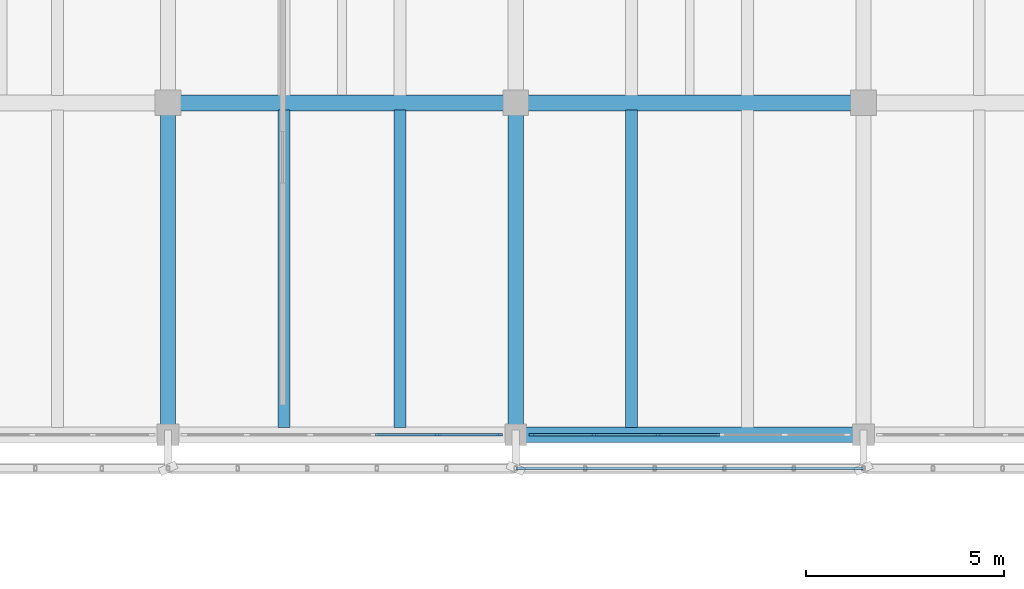
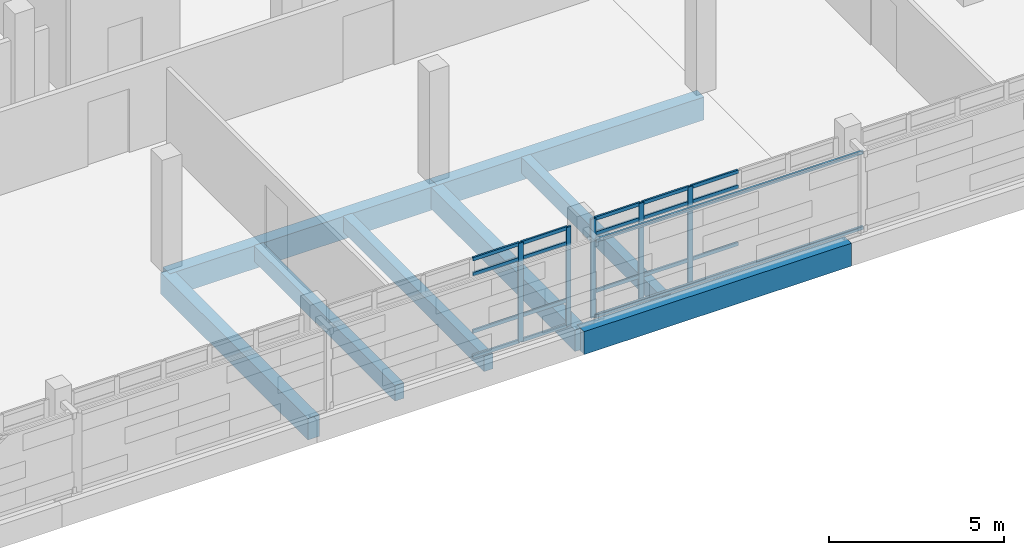
# One storey, part 52 of 117: 27 members, 8 beams, 2 elements without a shape of their own.
"""IFC4 building model written with IfcOpenShell, lengths in metres."""

from ifc_helpers import new_model, si_unit, direction, frame, origin, origin_2d, place, context, subcontext, project, spatial, rectangle, hollow_rectangle, extrude, material, material_profile, profile_set, type_object, element, aggregate, save


model = new_model("IFC4")

# Units and contexts
model_context = context("Model", 3, precision=1e-05, world=origin(), true_north=direction((0.0, 1.0)))
body_context = subcontext(model_context, "Body", "Model", "MODEL_VIEW")
ifc_project = project(units=[si_unit("LENGTHUNIT", "METRE"), si_unit("AREAUNIT", "SQUARE_METRE"), si_unit("VOLUMEUNIT", "CUBIC_METRE"), si_unit("PLANEANGLEUNIT", "RADIAN"), si_unit("MASSUNIT", "GRAM", prefix="KILO")], contexts=[model_context])

# Site, building, storey
site_placement = place(None, origin())
site = spatial("IfcSite", under=ifc_project, at=site_placement, CompositionType="ELEMENT")
building_placement = place(site_placement, origin())
building = spatial("IfcBuilding", under=site, at=building_placement, Name="Cinderway Yard Community Centre", CompositionType="ELEMENT")
storey_placement = place(building_placement, frame((0.0, 0.0, 9.0)))
storey = spatial("IfcBuildingStorey", under=building, at=storey_placement, Name="L02", CompositionType="ELEMENT", Elevation=9.0)

# Curtain wall, members
ifc_material_1 = material(Name="Aluminium 6063-T6", Category="aluminium")
curtain_wall_type = type_object("IfcCurtainWallType", Name="ENV-CW-TYPE-30", PredefinedType="USERDEFINED", material=ifc_material_1)
curtain_wall_1_placement = place(storey_placement, origin())
curtain_wall_1 = element("IfcCurtainWall", 1, at=curtain_wall_1_placement, inside=storey, type_object=curtain_wall_type, Name="V4 Courtyard Curtain Wall ENV-CW-L02-ST-0149", ObjectType="GLAZED CURTAIN WALL", PredefinedType="USERDEFINED")
ifc_material_profile_1 = material_profile(ifc_material_1, rectangle(XDim=0.06005859375, YDim=0.159912109375, at=origin_2d()), Name="Aluminium 6063-T6")
ifc_profile_set_1 = profile_set([ifc_material_profile_1], Name="Aluminium 6063-T6")
member_type_1 = type_object("IfcMemberType", Name="ENV-CW-MULL-150", PredefinedType="MULLION", material=ifc_profile_set_1)
member_1_placement = place(storey_placement, frame((82.011962890625, 90.0, 0.0), z_axis=(0.0, 0.0, 1.0), x_axis=(0.0, 1.0, 0.0)))
member_1 = element("IfcMember", 2, at=member_1_placement, type_object=member_type_1, Name="CW-30 mullion 5", PredefinedType="MULLION", context=body_context, shape_type="SweptSolid", body=[
    extrude(rectangle(XDim=0.06005859375, YDim=0.159912109375, at=origin_2d()), origin(), (0.0, 0.0, 1.0), 3.449951171875),
])
member_2_placement = place(storey_placement, frame((83.590087890625, 90.0, 0.0), z_axis=(0.0, 0.0, 1.0), x_axis=(0.0, 1.0, 0.0)))
member_2 = element("IfcMember", 3, at=member_2_placement, type_object=member_type_1, Name="CW-30 mullion 6", PredefinedType="MULLION", context=body_context, shape_type="SweptSolid", body=[
    extrude(rectangle(XDim=0.06005859375, YDim=0.159912109375, at=origin_2d()), origin(), (0.0, 0.0, 1.0), 3.449951171875),
])

curtain_wall_2_placement = place(storey_placement, origin())
curtain_wall_2 = element("IfcCurtainWall", 4, at=curtain_wall_2_placement, inside=storey, type_object=curtain_wall_type, Name="V4 Courtyard Curtain Wall ENV-CW-L02-ST-0150", ObjectType="GLAZED CURTAIN WALL", PredefinedType="USERDEFINED")
member_3_placement = place(storey_placement, frame((84.409912109375, 90.0, 0.0), z_axis=(0.0, 0.0, 1.0), x_axis=(0.0, 1.0, 0.0)))
member_3 = element("IfcMember", 5, at=member_3_placement, type_object=member_type_1, Name="CW-30 mullion 1", PredefinedType="MULLION", context=body_context, shape_type="SweptSolid", body=[
    extrude(rectangle(XDim=0.06005859375, YDim=0.159912109375, at=origin_2d()), origin(), (0.0, 0.0, 1.0), 3.449951171875),
])
member_4_placement = place(storey_placement, frame((85.988037109375, 90.0, 0.0), z_axis=(0.0, 0.0, 1.0), x_axis=(0.0, 1.0, 0.0)))
member_4 = element("IfcMember", 6, at=member_4_placement, type_object=member_type_1, Name="CW-30 mullion 2", PredefinedType="MULLION", context=body_context, shape_type="SweptSolid", body=[
    extrude(rectangle(XDim=0.06005859375, YDim=0.159912109375, at=origin_2d()), origin(), (0.0, 0.0, 1.0), 3.449951171875),
])
member_5_placement = place(storey_placement, frame((87.595947265625, 90.0, 0.0), z_axis=(0.0, 0.0, 1.0), x_axis=(0.0, 1.0, 0.0)))
member_5 = element("IfcMember", 7, at=member_5_placement, type_object=member_type_1, Name="CW-30 mullion 3", PredefinedType="MULLION", context=body_context, shape_type="SweptSolid", body=[
    extrude(rectangle(XDim=0.06005859375, YDim=0.159912109375, at=origin_2d()), origin(), (0.0, 0.0, 1.0), 3.449951171875),
])

# Member
ifc_material_profile_2 = material_profile(ifc_material_1, rectangle(XDim=0.06005859375, YDim=0.1201171875, at=origin_2d()), Name="Aluminium 6063-T6")
ifc_profile_set_2 = profile_set([ifc_material_profile_2], Name="Aluminium 6063-T6")
member_type_2 = type_object("IfcMemberType", Name="ENV-CW-TRAN-110", PredefinedType="USERDEFINED", material=ifc_profile_set_2)
member_6_placement = place(storey_placement, frame((80.43408203125, 90.0, 0.030029296875), z_axis=(1.0, 0.0, 0.0), x_axis=(0.0, 1.0, 0.0)))
member_6 = element("IfcMember", 8, at=member_6_placement, type_object=member_type_2, Name="CW-30 transom 4.1", ObjectType="TRANSOM", PredefinedType="USERDEFINED", context=body_context, shape_type="SweptSolid", body=[
    extrude(rectangle(XDim=0.06005859375, YDim=0.1201171875, at=origin_2d()), origin(), (0.0, 0.0, 1.0), 1.5478515625),
])

member_7_placement = place(storey_placement, frame((80.43408203125, 90.0, 0.89990234375), z_axis=(1.0, 0.0, 0.0), x_axis=(0.0, 1.0, 0.0)))
member_7 = element("IfcMember", 9, at=member_7_placement, type_object=member_type_2, Name="CW-30 transom 4.2", ObjectType="TRANSOM", PredefinedType="USERDEFINED", context=body_context, shape_type="SweptSolid", body=[
    extrude(rectangle(XDim=0.06005859375, YDim=0.1201171875, at=origin_2d()), origin(), (0.0, 0.0, 1.0), 1.5478515625),
])

member_8_placement = place(storey_placement, frame((80.43408203125, 90.0, 2.89990234375), z_axis=(1.0, 0.0, 0.0), x_axis=(0.0, 1.0, 0.0)))
member_8 = element("IfcMember", 10, at=member_8_placement, type_object=member_type_2, Name="CW-30 transom 4.3", ObjectType="TRANSOM", PredefinedType="USERDEFINED", context=body_context, shape_type="SweptSolid", body=[
    extrude(rectangle(XDim=0.06005859375, YDim=0.1201171875, at=origin_2d()), origin(), (0.0, 0.0, 1.0), 1.5478515625),
])

member_9_placement = place(storey_placement, frame((80.43408203125, 90.0, 3.419921875), z_axis=(1.0, 0.0, 0.0), x_axis=(0.0, 1.0, 0.0)))
member_9 = element("IfcMember", 11, at=member_9_placement, type_object=member_type_2, Name="CW-30 transom 4.4", ObjectType="TRANSOM", PredefinedType="USERDEFINED", context=body_context, shape_type="SweptSolid", body=[
    extrude(rectangle(XDim=0.06005859375, YDim=0.1201171875, at=origin_2d()), origin(), (0.0, 0.0, 1.0), 1.5478515625),
])

member_10_placement = place(storey_placement, frame((82.0419921875, 90.0, 0.030029296875), z_axis=(1.0, 0.0, 0.0), x_axis=(0.0, 1.0, 0.0)))
member_10 = element("IfcMember", 12, at=member_10_placement, type_object=member_type_2, Name="CW-30 transom 5.1", ObjectType="TRANSOM", PredefinedType="USERDEFINED", context=body_context, shape_type="SweptSolid", body=[
    extrude(rectangle(XDim=0.06005859375, YDim=0.1201171875, at=origin_2d()), origin(), (0.0, 0.0, 1.0), 1.51806640625),
])

member_11_placement = place(storey_placement, frame((82.0419921875, 90.0, 0.89990234375), z_axis=(1.0, 0.0, 0.0), x_axis=(0.0, 1.0, 0.0)))
member_11 = element("IfcMember", 13, at=member_11_placement, type_object=member_type_2, Name="CW-30 transom 5.2", ObjectType="TRANSOM", PredefinedType="USERDEFINED", context=body_context, shape_type="SweptSolid", body=[
    extrude(rectangle(XDim=0.06005859375, YDim=0.1201171875, at=origin_2d()), origin(), (0.0, 0.0, 1.0), 1.51806640625),
])

member_12_placement = place(storey_placement, frame((82.0419921875, 90.0, 2.89990234375), z_axis=(1.0, 0.0, 0.0), x_axis=(0.0, 1.0, 0.0)))
member_12 = element("IfcMember", 14, at=member_12_placement, type_object=member_type_2, Name="CW-30 transom 5.3", ObjectType="TRANSOM", PredefinedType="USERDEFINED", context=body_context, shape_type="SweptSolid", body=[
    extrude(rectangle(XDim=0.06005859375, YDim=0.1201171875, at=origin_2d()), origin(), (0.0, 0.0, 1.0), 1.51806640625),
])

member_13_placement = place(storey_placement, frame((82.0419921875, 90.0, 3.419921875), z_axis=(1.0, 0.0, 0.0), x_axis=(0.0, 1.0, 0.0)))
member_13 = element("IfcMember", 15, at=member_13_placement, type_object=member_type_2, Name="CW-30 transom 5.4", ObjectType="TRANSOM", PredefinedType="USERDEFINED", context=body_context, shape_type="SweptSolid", body=[
    extrude(rectangle(XDim=0.06005859375, YDim=0.1201171875, at=origin_2d()), origin(), (0.0, 0.0, 1.0), 1.51806640625),
])

aggregate(curtain_wall_1, [member_1, member_2, member_6, member_7, member_8, member_9, member_10, member_11, member_12, member_13])

member_14_placement = place(storey_placement, frame((84.43994140625, 90.0, 0.030029296875), z_axis=(1.0, 0.0, 0.0), x_axis=(0.0, 1.0, 0.0)))
member_14 = element("IfcMember", 16, at=member_14_placement, type_object=member_type_2, Name="CW-30 transom 1.1", ObjectType="TRANSOM", PredefinedType="USERDEFINED", context=body_context, shape_type="SweptSolid", body=[
    extrude(rectangle(XDim=0.06005859375, YDim=0.1201171875, at=origin_2d()), origin(), (0.0, 0.0, 1.0), 1.51806640625),
])

member_15_placement = place(storey_placement, frame((84.43994140625, 90.0, 0.89990234375), z_axis=(1.0, 0.0, 0.0), x_axis=(0.0, 1.0, 0.0)))
member_15 = element("IfcMember", 17, at=member_15_placement, type_object=member_type_2, Name="CW-30 transom 1.2", ObjectType="TRANSOM", PredefinedType="USERDEFINED", context=body_context, shape_type="SweptSolid", body=[
    extrude(rectangle(XDim=0.06005859375, YDim=0.1201171875, at=origin_2d()), origin(), (0.0, 0.0, 1.0), 1.51806640625),
])

member_16_placement = place(storey_placement, frame((84.43994140625, 90.0, 2.89990234375), z_axis=(1.0, 0.0, 0.0), x_axis=(0.0, 1.0, 0.0)))
member_16 = element("IfcMember", 18, at=member_16_placement, type_object=member_type_2, Name="CW-30 transom 1.3", ObjectType="TRANSOM", PredefinedType="USERDEFINED", context=body_context, shape_type="SweptSolid", body=[
    extrude(rectangle(XDim=0.06005859375, YDim=0.1201171875, at=origin_2d()), origin(), (0.0, 0.0, 1.0), 1.51806640625),
])

member_17_placement = place(storey_placement, frame((84.43994140625, 90.0, 3.419921875), z_axis=(1.0, 0.0, 0.0), x_axis=(0.0, 1.0, 0.0)))
member_17 = element("IfcMember", 19, at=member_17_placement, type_object=member_type_2, Name="CW-30 transom 1.4", ObjectType="TRANSOM", PredefinedType="USERDEFINED", context=body_context, shape_type="SweptSolid", body=[
    extrude(rectangle(XDim=0.06005859375, YDim=0.1201171875, at=origin_2d()), origin(), (0.0, 0.0, 1.0), 1.51806640625),
])

member_18_placement = place(storey_placement, frame((86.01806640625, 90.0, 0.030029296875), z_axis=(1.0, 0.0, 0.0), x_axis=(0.0, 1.0, 0.0)))
member_18 = element("IfcMember", 20, at=member_18_placement, type_object=member_type_2, Name="CW-30 transom 2.1", ObjectType="TRANSOM", PredefinedType="USERDEFINED", context=body_context, shape_type="SweptSolid", body=[
    extrude(rectangle(XDim=0.06005859375, YDim=0.1201171875, at=origin_2d()), origin(), (0.0, 0.0, 1.0), 1.5478515625),
])

member_19_placement = place(storey_placement, frame((86.01806640625, 90.0, 0.89990234375), z_axis=(1.0, 0.0, 0.0), x_axis=(0.0, 1.0, 0.0)))
member_19 = element("IfcMember", 21, at=member_19_placement, type_object=member_type_2, Name="CW-30 transom 2.2", ObjectType="TRANSOM", PredefinedType="USERDEFINED", context=body_context, shape_type="SweptSolid", body=[
    extrude(rectangle(XDim=0.06005859375, YDim=0.1201171875, at=origin_2d()), origin(), (0.0, 0.0, 1.0), 1.5478515625),
])

member_20_placement = place(storey_placement, frame((86.01806640625, 90.0, 2.89990234375), z_axis=(1.0, 0.0, 0.0), x_axis=(0.0, 1.0, 0.0)))
member_20 = element("IfcMember", 22, at=member_20_placement, type_object=member_type_2, Name="CW-30 transom 2.3", ObjectType="TRANSOM", PredefinedType="USERDEFINED", context=body_context, shape_type="SweptSolid", body=[
    extrude(rectangle(XDim=0.06005859375, YDim=0.1201171875, at=origin_2d()), origin(), (0.0, 0.0, 1.0), 1.5478515625),
])

member_21_placement = place(storey_placement, frame((86.01806640625, 90.0, 3.419921875), z_axis=(1.0, 0.0, 0.0), x_axis=(0.0, 1.0, 0.0)))
member_21 = element("IfcMember", 23, at=member_21_placement, type_object=member_type_2, Name="CW-30 transom 2.4", ObjectType="TRANSOM", PredefinedType="USERDEFINED", context=body_context, shape_type="SweptSolid", body=[
    extrude(rectangle(XDim=0.06005859375, YDim=0.1201171875, at=origin_2d()), origin(), (0.0, 0.0, 1.0), 1.5478515625),
])

member_22_placement = place(storey_placement, frame((87.6259765625, 90.0, 0.030029296875), z_axis=(1.0, 0.0, 0.0), x_axis=(0.0, 1.0, 0.0)))
member_22 = element("IfcMember", 24, at=member_22_placement, type_object=member_type_2, Name="CW-30 transom 3.1", ObjectType="TRANSOM", PredefinedType="USERDEFINED", context=body_context, shape_type="SweptSolid", body=[
    extrude(rectangle(XDim=0.06005859375, YDim=0.1201171875, at=origin_2d()), origin(), (0.0, 0.0, 1.0), 1.548095703125),
])

member_23_placement = place(storey_placement, frame((87.6259765625, 90.0, 0.89990234375), z_axis=(1.0, 0.0, 0.0), x_axis=(0.0, 1.0, 0.0)))
member_23 = element("IfcMember", 25, at=member_23_placement, type_object=member_type_2, Name="CW-30 transom 3.2", ObjectType="TRANSOM", PredefinedType="USERDEFINED", context=body_context, shape_type="SweptSolid", body=[
    extrude(rectangle(XDim=0.06005859375, YDim=0.1201171875, at=origin_2d()), origin(), (0.0, 0.0, 1.0), 1.548095703125),
])

member_24_placement = place(storey_placement, frame((87.6259765625, 90.0, 2.89990234375), z_axis=(1.0, 0.0, 0.0), x_axis=(0.0, 1.0, 0.0)))
member_24 = element("IfcMember", 26, at=member_24_placement, type_object=member_type_2, Name="CW-30 transom 3.3", ObjectType="TRANSOM", PredefinedType="USERDEFINED", context=body_context, shape_type="SweptSolid", body=[
    extrude(rectangle(XDim=0.06005859375, YDim=0.1201171875, at=origin_2d()), origin(), (0.0, 0.0, 1.0), 1.548095703125),
])

member_25_placement = place(storey_placement, frame((87.6259765625, 90.0, 3.419921875), z_axis=(1.0, 0.0, 0.0), x_axis=(0.0, 1.0, 0.0)))
member_25 = element("IfcMember", 27, at=member_25_placement, type_object=member_type_2, Name="CW-30 transom 3.4", ObjectType="TRANSOM", PredefinedType="USERDEFINED", context=body_context, shape_type="SweptSolid", body=[
    extrude(rectangle(XDim=0.06005859375, YDim=0.1201171875, at=origin_2d()), origin(), (0.0, 0.0, 1.0), 1.548095703125),
])

aggregate(curtain_wall_2, [member_3, member_4, member_5, member_14, member_15, member_16, member_17, member_18, member_19, member_20, member_21, member_22, member_23, member_24, member_25])

# Members
ifc_material_2 = material(Name="Steel S355", Category="steel")
ifc_material_profile_3 = material_profile(ifc_material_2, hollow_rectangle(XDim=0.080078125, YDim=0.1201171875, WallThickness=0.00634765625, InnerFilletRadius=0.00634765625, OuterFilletRadius=0.0126953125, at=origin_2d()), Name="Steel S355")
ifc_profile_set_3 = profile_set([ifc_material_profile_3], Name="Steel S355")
member_type_3 = type_object("IfcMemberType", Name="ENV-MEM-SCREEN-RAIL-120", PredefinedType="STRINGER", material=ifc_profile_set_3)
for number, where, z_axis, x_axis, name in (
    (28, (84.0, 89.14990234375, 0.7099609375), (1.0, 0.0, 0.0), (0.0, 1.0, 0.0), "Screen support rail 0455-BOT"),
    (29, (84.0, 89.14990234375, 3.340087890625), (1.0, 0.0, 0.0), (0.0, 1.0, 0.0), "Screen support rail 0456-TOP"),
):
    element("IfcMember", number, at=place(storey_placement, frame(where, z_axis=z_axis, x_axis=x_axis)), inside=storey, type_object=member_type_3, Name=name, PredefinedType="STRINGER", context=body_context, shape_type="SweptSolid", body=[
        extrude(hollow_rectangle(XDim=0.080078125, YDim=0.1201171875, WallThickness=0.00634765625, InnerFilletRadius=0.00634765625, OuterFilletRadius=0.0126953125, at=origin_2d()), origin(), (0.0, 0.0, 1.0), 8.800048828125),
    ])

# Beams
ifc_material_3 = material(Name="Concrete C35/45", Category="concrete")
ifc_material_profile_4 = material_profile(ifc_material_3, rectangle(XDim=0.300048828125, YDim=0.550048828125, at=origin_2d()), Name="Concrete C35/45")
ifc_profile_set_4 = profile_set([ifc_material_profile_4], Name="Concrete C35/45")
beam_type_1 = type_object("IfcBeamType", Name="STR-BM-RC300X550", PredefinedType="JOIST", material=ifc_profile_set_4)
for number, where, z_axis, x_axis, name in (
    (30, (78.133056640625, 90.181884765625, -0.514892578125), (0.0, 1.0, 0.0), (-1.0, 0.0, 0.0), "Secondary joist STR-BM-L02-BJ03-0605"),
    (31, (81.06689453125, 90.181884765625, -0.514892578125), (0.0, 1.0, 0.0), (-1.0, 0.0, 0.0), "Secondary joist STR-BM-L02-BJ03-0606"),
    (32, (86.93310546875, 90.181884765625, -0.514892578125), (0.0, 1.0, 0.0), (-1.0, 0.0, 0.0), "Secondary joist STR-BM-L02-BJ03-0609"),
):
    element("IfcBeam", number, at=place(storey_placement, frame(where, z_axis=z_axis, x_axis=x_axis)), inside=storey, type_object=beam_type_1, Name=name, PredefinedType="JOIST", context=body_context, shape_type="SweptSolid", body=[
        extrude(rectangle(XDim=0.300048828125, YDim=0.550048828125, at=origin_2d()), origin(), (0.0, 0.0, 1.0), 8.0361328125),
    ])
ifc_material_profile_5 = material_profile(ifc_material_3, rectangle(XDim=0.3798828125, YDim=0.75, at=origin_2d()), Name="Concrete C35/45")
ifc_profile_set_5 = profile_set([ifc_material_profile_5], Name="Concrete C35/45")
beam_type_2 = type_object("IfcBeamType", Name="STR-BM-RC380X750", PredefinedType="BEAM", material=ifc_profile_set_5)
for number, where, z_axis, x_axis, name in (
    (33, (75.199951171875, 90.0, -0.614990234375), (0.0, 1.0, 0.0), (-1.0, 0.0, 0.0), "Transverse girder STR-BM-L02-BG06-0556"),
    (34, (84.0, 90.0, -0.614990234375), (0.0, 1.0, 0.0), (-1.0, 0.0, 0.0), "Transverse girder STR-BM-L02-BG06-0559"),
):
    element("IfcBeam", number, at=place(storey_placement, frame(where, z_axis=z_axis, x_axis=x_axis)), inside=storey, type_object=beam_type_2, Name=name, PredefinedType="BEAM", context=body_context, shape_type="SweptSolid", body=[
        extrude(rectangle(XDim=0.3798828125, YDim=0.75, at=origin_2d()), origin(), (0.0, 0.0, 1.0), 8.39990234375),
    ])
ifc_material_4 = material(Name="Concrete C40/50", Category="concrete")
ifc_material_profile_6 = material_profile(ifc_material_4, rectangle(XDim=0.39990234375, YDim=0.800048828125, at=origin_2d()), Name="Concrete C40/50")
ifc_profile_set_6 = profile_set([ifc_material_profile_6], Name="Concrete C40/50")
beam_type_3 = type_object("IfcBeamType", Name="STR-BM-RC400X800", PredefinedType="BEAM", material=ifc_profile_set_6)
for number, where, z_axis, x_axis, name in (
    (35, (84.0, 90.0, -0.639892578125), (1.0, 0.0, 0.0), (0.0, 1.0, 0.0), "Primary girder STR-BM-L02-BG05-0501"),
    (36, (75.199951171875, 98.39990234375, -0.639892578125), (1.0, 0.0, 0.0), (0.0, 1.0, 0.0), "Primary girder STR-BM-L02-BG05-0512"),
    (37, (84.0, 98.39990234375, -0.639892578125), (1.0, 0.0, 0.0), (0.0, 1.0, 0.0), "Primary girder STR-BM-L02-BG05-0513"),
):
    element("IfcBeam", number, at=place(storey_placement, frame(where, z_axis=z_axis, x_axis=x_axis)), inside=storey, type_object=beam_type_3, Name=name, PredefinedType="BEAM", context=body_context, shape_type="SweptSolid", body=[
        extrude(rectangle(XDim=0.39990234375, YDim=0.800048828125, at=origin_2d()), origin(), (0.0, 0.0, 1.0), 8.800048828125),
    ])

save(model, "model.ifc")
